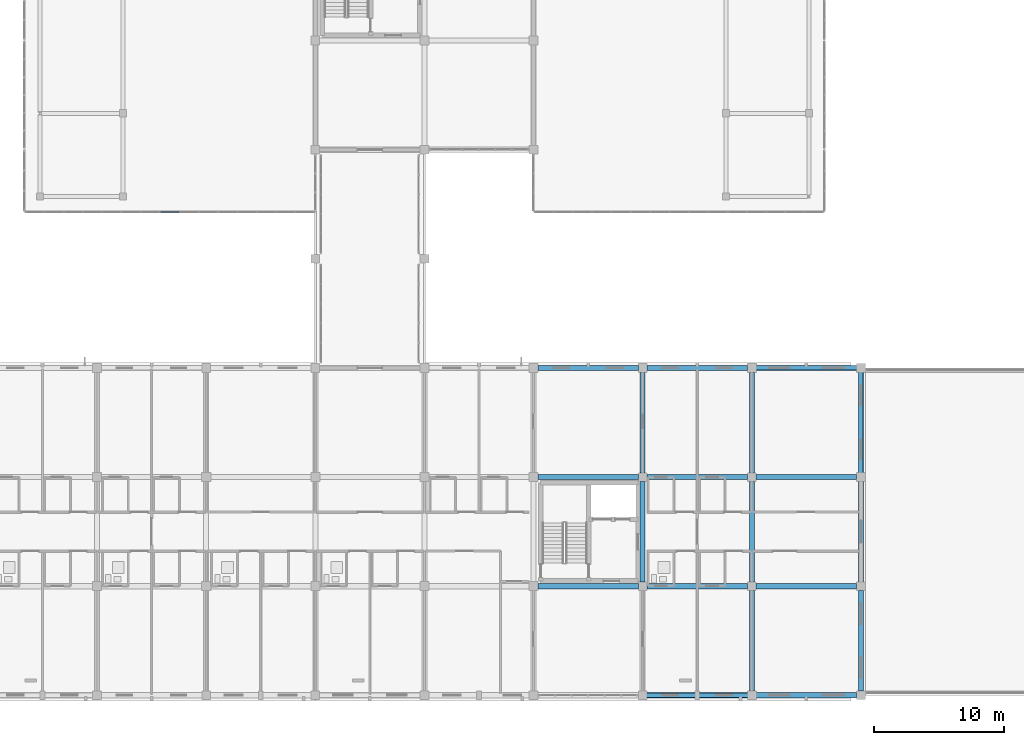
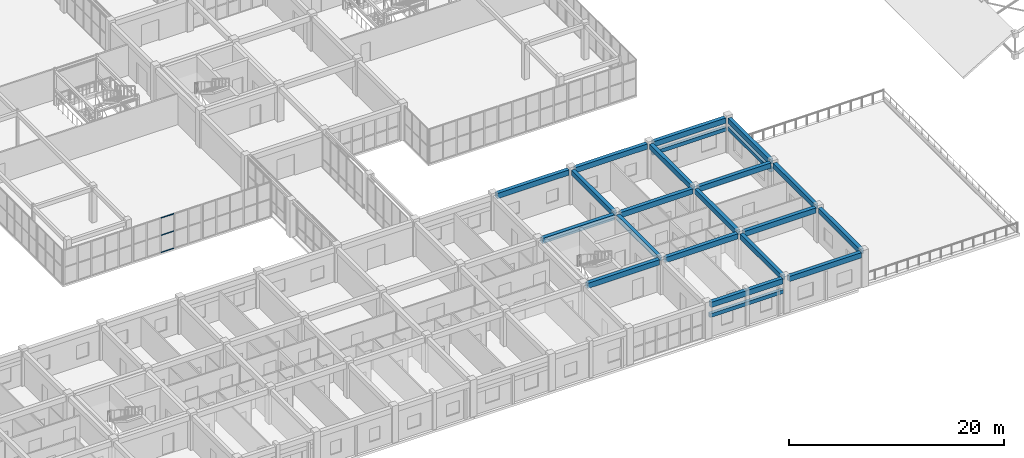
# One storey, part 31 of 140: 22 beams, 3 members, 1 element without a shape of its own.
"""IFC4 building model written with IfcOpenShell, lengths in metres."""

from ifc_helpers import new_model, si_unit, direction, frame, origin, origin_2d, place, context, subcontext, project, spatial, rectangle, hollow_rectangle, extrude, material, layer, layer_set, material_profile, profile_set, type_object, element, aggregate, save


model = new_model("IFC4")

# Units and contexts
model_context = context("Model", 3, precision=1e-05, world=origin(), true_north=direction((0.0, 1.0)))
body_context = subcontext(model_context, "Body", "Model", "MODEL_VIEW")
ifc_project = project(units=[si_unit("LENGTHUNIT", "METRE"), si_unit("AREAUNIT", "SQUARE_METRE"), si_unit("VOLUMEUNIT", "CUBIC_METRE"), si_unit("PLANEANGLEUNIT", "RADIAN"), si_unit("MASSUNIT", "GRAM", prefix="KILO")], contexts=[model_context])

# Site, building, storey
site_placement = place(None, origin())
site = spatial("IfcSite", under=ifc_project, at=site_placement, CompositionType="ELEMENT")
building_placement = place(site_placement, origin())
building = spatial("IfcBuilding", under=site, at=building_placement, Name="Trelvath General Hospital", CompositionType="ELEMENT")
storey_placement = place(building_placement, frame((0.0, 0.0, 16.199951171875)))
storey = spatial("IfcBuildingStorey", under=building, at=storey_placement, Name="L04", CompositionType="ELEMENT", Elevation=16.199951171875)

# Beams
ifc_material_1 = material(Name="Concrete C35/45", Category="concrete")
ifc_material_profile_1 = material_profile(ifc_material_1, rectangle(XDim=0.3798828125, YDim=0.580078125, at=origin_2d()), Name="RCB380x580")
ifc_profile_set_1 = profile_set([ifc_material_profile_1], Name="Concrete C35/45")
beam_type_1 = type_object("IfcBeamType", Name="Beam RC380x580", PredefinedType="BEAM", material=ifc_profile_set_1)
beam_1_placement = place(storey_placement, frame((100.800048828125, 8.72509765625, 3.630126953125), z_axis=(0.0, 1.0, 0.0), x_axis=(-1.0, 0.0, 0.0)))
element("IfcBeam", 1, at=beam_1_placement, inside=storey, type_object=beam_type_1, Name="Grid Beam BY-412B", PredefinedType="BEAM", context=body_context, shape_type="SweptSolid", body=[
    extrude(rectangle(XDim=0.3798828125, YDim=0.580078125, at=origin_2d()), origin(), (0.0, 0.0, 1.0), 7.75),
])
for number, where, z_axis, x_axis, name in (
    (2, (100.800048828125, 17.125, 3.630126953125), (0.0, 1.0, 0.0), (-1.0, 0.0, 0.0), "Grid Beam BY-412C"),
    (3, (109.199951171875, 0.3349609375, 3.630126953125), (0.0, 1.0, 0.0), (-1.0, 0.0, 0.0), "Grid Beam BY-413A"),
):
    element("IfcBeam", number, at=place(storey_placement, frame(where, z_axis=z_axis, x_axis=x_axis)), inside=storey, type_object=beam_type_1, Name=name, PredefinedType="BEAM", context=body_context, shape_type="SweptSolid", body=[
        extrude(rectangle(XDim=0.3798828125, YDim=0.580078125, at=origin_2d()), origin(), (0.0, 0.0, 1.0), 7.739990234375),
    ])
beam_2_placement = place(storey_placement, frame((109.199951171875, 8.72509765625, 3.630126953125), z_axis=(0.0, 1.0, 0.0), x_axis=(-1.0, 0.0, 0.0)))
element("IfcBeam", 4, at=beam_2_placement, inside=storey, type_object=beam_type_1, Name="Grid Beam BY-413B", PredefinedType="BEAM", context=body_context, shape_type="SweptSolid", body=[
    extrude(rectangle(XDim=0.3798828125, YDim=0.580078125, at=origin_2d()), origin(), (0.0, 0.0, 1.0), 7.75),
])
beam_3_placement = place(storey_placement, frame((109.199951171875, 17.125, 3.630126953125), z_axis=(0.0, 1.0, 0.0), x_axis=(-1.0, 0.0, 0.0)))
element("IfcBeam", 5, at=beam_3_placement, inside=storey, type_object=beam_type_1, Name="Grid Beam BY-413C", PredefinedType="BEAM", context=body_context, shape_type="SweptSolid", body=[
    extrude(rectangle(XDim=0.3798828125, YDim=0.580078125, at=origin_2d()), origin(), (0.0, 0.0, 1.0), 7.739990234375),
])
for number, where, z_axis, x_axis, name in (
    (6, (117.60009765625, 0.3349609375, 3.630126953125), (0.0, 1.0, 0.0), (-1.0, 0.0, 0.0), "Grid Beam BY-414A"),
    (7, (117.60009765625, 8.735107421875, 3.630126953125), (0.0, 1.0, 0.0), (-1.0, 0.0, 0.0), "Grid Beam BY-414B"),
    (8, (117.60009765625, 17.135009765625, 3.630126953125), (0.0, 1.0, 0.0), (-1.0, 0.0, 0.0), "Grid Beam BY-414C"),
):
    element("IfcBeam", number, at=place(storey_placement, frame(where, z_axis=z_axis, x_axis=x_axis)), inside=storey, type_object=beam_type_1, Name=name, PredefinedType="BEAM", context=body_context, shape_type="SweptSolid", body=[
        extrude(rectangle(XDim=0.3798828125, YDim=0.580078125, at=origin_2d()), origin(), (0.0, 0.0, 1.0), 7.72998046875),
    ])
ifc_material_2 = material(Name="Concrete C35/45", Category="concrete")
ifc_material_profile_2 = material_profile(ifc_material_2, rectangle(XDim=0.39990234375, YDim=0.60009765625, at=origin_2d()), Name="RCB400x600")
ifc_profile_set_2 = profile_set([ifc_material_profile_2], Name="Concrete C35/45")
beam_type_2 = type_object("IfcBeamType", Name="Beam RC400x600", PredefinedType="BEAM", material=ifc_profile_set_2)
for number, where, z_axis, x_axis, name in (
    (9, (92.7451171875, 8.39990234375, 3.6201171875), (1.0, 0.0, 0.0), (0.0, 1.0, 0.0), "Grid Beam BX-411B"),
    (10, (92.7451171875, 16.800048828125, 3.6201171875), (1.0, 0.0, 0.0), (0.0, 1.0, 0.0), "Grid Beam BX-411C"),
    (11, (92.735107421875, 25.199951171875, 3.6201171875), (1.0, 0.0, 0.0), (0.0, 1.0, 0.0), "Grid Beam BX-411D"),
    (12, (101.135009765625, 0.0, 3.6201171875), (1.0, 0.0, 0.0), (0.0, 1.0, 0.0), "Grid Beam BX-412A"),
):
    element("IfcBeam", number, at=place(storey_placement, frame(where, z_axis=z_axis, x_axis=x_axis)), inside=storey, type_object=beam_type_2, Name=name, PredefinedType="BEAM", context=body_context, shape_type="SweptSolid", body=[
        extrude(rectangle(XDim=0.39990234375, YDim=0.60009765625, at=origin_2d()), origin(), (0.0, 0.0, 1.0), 7.72998046875),
    ])
for number, where, z_axis, x_axis, name in (
    (13, (101.125, 8.39990234375, 3.6201171875), (1.0, 0.0, 0.0), (0.0, 1.0, 0.0), "Grid Beam BX-412B"),
    (14, (101.125, 16.800048828125, 3.6201171875), (1.0, 0.0, 0.0), (0.0, 1.0, 0.0), "Grid Beam BX-412C"),
):
    element("IfcBeam", number, at=place(storey_placement, frame(where, z_axis=z_axis, x_axis=x_axis)), inside=storey, type_object=beam_type_2, Name=name, PredefinedType="BEAM", context=body_context, shape_type="SweptSolid", body=[
        extrude(rectangle(XDim=0.39990234375, YDim=0.60009765625, at=origin_2d()), origin(), (0.0, 0.0, 1.0), 7.75),
    ])
for number, where, z_axis, x_axis, name in (
    (15, (101.135009765625, 25.199951171875, 3.6201171875), (1.0, 0.0, 0.0), (0.0, 1.0, 0.0), "Grid Beam BX-412D"),
    (16, (109.534912109375, 0.0, 3.6201171875), (1.0, 0.0, 0.0), (0.0, 1.0, 0.0), "Grid Beam BX-413A"),
):
    element("IfcBeam", number, at=place(storey_placement, frame(where, z_axis=z_axis, x_axis=x_axis)), inside=storey, type_object=beam_type_2, Name=name, PredefinedType="BEAM", context=body_context, shape_type="SweptSolid", body=[
        extrude(rectangle(XDim=0.39990234375, YDim=0.60009765625, at=origin_2d()), origin(), (0.0, 0.0, 1.0), 7.72998046875),
    ])
for number, where, z_axis, x_axis, name in (
    (17, (109.52490234375, 8.39990234375, 3.6201171875), (1.0, 0.0, 0.0), (0.0, 1.0, 0.0), "Grid Beam BX-413B"),
    (18, (109.52490234375, 16.800048828125, 3.6201171875), (1.0, 0.0, 0.0), (0.0, 1.0, 0.0), "Grid Beam BX-413C"),
):
    element("IfcBeam", number, at=place(storey_placement, frame(where, z_axis=z_axis, x_axis=x_axis)), inside=storey, type_object=beam_type_2, Name=name, PredefinedType="BEAM", context=body_context, shape_type="SweptSolid", body=[
        extrude(rectangle(XDim=0.39990234375, YDim=0.60009765625, at=origin_2d()), origin(), (0.0, 0.0, 1.0), 7.739990234375),
    ])
beam_4_placement = place(storey_placement, frame((109.534912109375, 25.199951171875, 3.6201171875), z_axis=(1.0, 0.0, 0.0), x_axis=(0.0, 1.0, 0.0)))
element("IfcBeam", 19, at=beam_4_placement, inside=storey, type_object=beam_type_2, Name="Grid Beam BX-413D", PredefinedType="BEAM", context=body_context, shape_type="SweptSolid", body=[
    extrude(rectangle(XDim=0.39990234375, YDim=0.60009765625, at=origin_2d()), origin(), (0.0, 0.0, 1.0), 7.72998046875),
])

# Curtain wall, members
ifc_material_3 = material(Name="Anodised aluminium and low-E glass", Category="aluminium")
ifc_layer = layer(ifc_material_3, 0.139892578125)
ifc_layer_set = layer_set([ifc_layer], Name="Anodised aluminium and low-E glass")
curtain_wall_type = type_object("IfcCurtainWallType", Name="CW CrystalCube 743 396 14", PredefinedType="USERDEFINED", material=ifc_layer_set)
curtain_wall_placement = place(storey_placement, origin())
curtain_wall = element("IfcCurtainWall", 20, at=curtain_wall_placement, inside=storey, type_object=curtain_wall_type, Name="Crystal Cube Curtain Wall CUBE-W-T1 S2 L04", ObjectType="Unitised Glazed Curtain Wall", PredefinedType="USERDEFINED")
ifc_material_4 = material(Name="Anodised aluminium", Category="aluminium")
ifc_material_profile_3 = material_profile(ifc_material_4, hollow_rectangle(XDim=0.06005859375, YDim=0.110107421875, WallThickness=0.00390625, at=origin_2d()), Name="RHS60x110x4")
ifc_profile_set_3 = profile_set([ifc_material_profile_3], Name="Anodised aluminium")
member_type = type_object("IfcMemberType", Name="CurtainTransom 60x110", PredefinedType="USERDEFINED", material=ifc_profile_set_3)
member_1_placement = place(storey_placement, frame((65.112548828125, 37.199951171875, 0.030029296875), z_axis=(-1.0, 0.0, 0.0), x_axis=(0.0, -1.0, 0.0)))
member_1 = element("IfcMember", 21, at=member_1_placement, type_object=member_type, Name="CW-269 transom 3.1", ObjectType="TRANSOM", PredefinedType="USERDEFINED", context=body_context, shape_type="SweptSolid", body=[
    extrude(hollow_rectangle(XDim=0.06005859375, YDim=0.110107421875, WallThickness=0.00390625, at=origin_2d()), origin(), (0.0, 0.0, 1.0), 1.42529296875),
])
member_2_placement = place(storey_placement, frame((65.112548828125, 37.199951171875, 1.97998046875), z_axis=(-1.0, 0.0, 0.0), x_axis=(0.0, -1.0, 0.0)))
member_2 = element("IfcMember", 22, at=member_2_placement, type_object=member_type, Name="CW-269 transom 3.2", ObjectType="TRANSOM", PredefinedType="USERDEFINED", context=body_context, shape_type="SweptSolid", body=[
    extrude(hollow_rectangle(XDim=0.06005859375, YDim=0.110107421875, WallThickness=0.00390625, at=origin_2d()), origin(), (0.0, 0.0, 1.0), 1.42529296875),
])
member_3_placement = place(storey_placement, frame((65.112548828125, 37.199951171875, 3.929931640625), z_axis=(-1.0, 0.0, 0.0), x_axis=(0.0, -1.0, 0.0)))
member_3 = element("IfcMember", 23, at=member_3_placement, type_object=member_type, Name="CW-269 transom 3.3", ObjectType="TRANSOM", PredefinedType="USERDEFINED", context=body_context, shape_type="SweptSolid", body=[
    extrude(hollow_rectangle(XDim=0.06005859375, YDim=0.110107421875, WallThickness=0.00390625, at=origin_2d()), origin(), (0.0, 0.0, 1.0), 1.42529296875),
])
aggregate(curtain_wall, [member_1, member_2, member_3])

# Beams
ifc_material_5 = material(Name="Precast concrete C40/50", Category="concrete")
ifc_material_profile_4 = material_profile(ifc_material_5, rectangle(XDim=0.35009765625, YDim=0.419921875, at=origin_2d()), Name="PCL350x420")
ifc_profile_set_4 = profile_set([ifc_material_profile_4], Name="Precast concrete C40/50")
beam_type_3 = type_object("IfcBeamType", Name="Lintel PC350x420", PredefinedType="LINTEL", material=ifc_profile_set_4)
beam_5_placement = place(storey_placement, frame((108.945068359375, 0.0, 2.41015625), z_axis=(-1.0, 0.0, 0.0), x_axis=(0.0, -1.0, 0.0)))
element("IfcBeam", 24, at=beam_5_placement, inside=storey, type_object=beam_type_3, Name="Precast Window Brow Lintel L04-470", PredefinedType="LINTEL", context=body_context, shape_type="SweptSolid", body=[
    extrude(rectangle(XDim=0.35009765625, YDim=0.419921875, at=origin_2d()), origin(), (0.0, 0.0, 1.0), 7.89013671875),
])
beam_6_placement = place(storey_placement, frame((109.455078125, 25.199951171875, 2.590087890625), z_axis=(1.0, 0.0, 0.0), x_axis=(0.0, 1.0, 0.0)))
element("IfcBeam", 25, at=beam_6_placement, inside=storey, type_object=beam_type_3, Name="Precast Window Brow Lintel L04-477", PredefinedType="LINTEL", context=body_context, shape_type="SweptSolid", body=[
    extrude(rectangle(XDim=0.35009765625, YDim=0.419921875, at=origin_2d()), origin(), (0.0, 0.0, 1.0), 7.889892578125),
])
beam_7_placement = place(storey_placement, frame((117.60009765625, 24.945068359375, 2.719970703125), z_axis=(0.0, -1.0, 0.0), x_axis=(1.0, 0.0, 0.0)))
element("IfcBeam", 26, at=beam_7_placement, inside=storey, type_object=beam_type_3, Name="Precast Window Brow Lintel L04-478", PredefinedType="LINTEL", context=body_context, shape_type="SweptSolid", body=[
    extrude(rectangle(XDim=0.35009765625, YDim=0.419921875, at=origin_2d()), origin(), (0.0, 0.0, 1.0), 7.89013671875),
])

save(model, "model.ifc")
